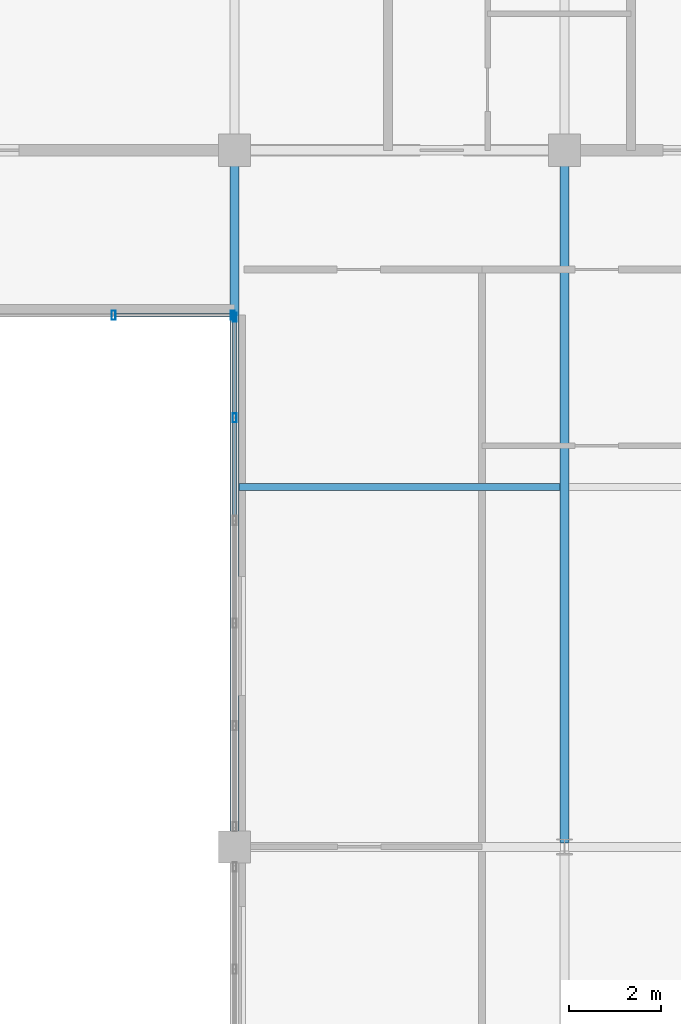
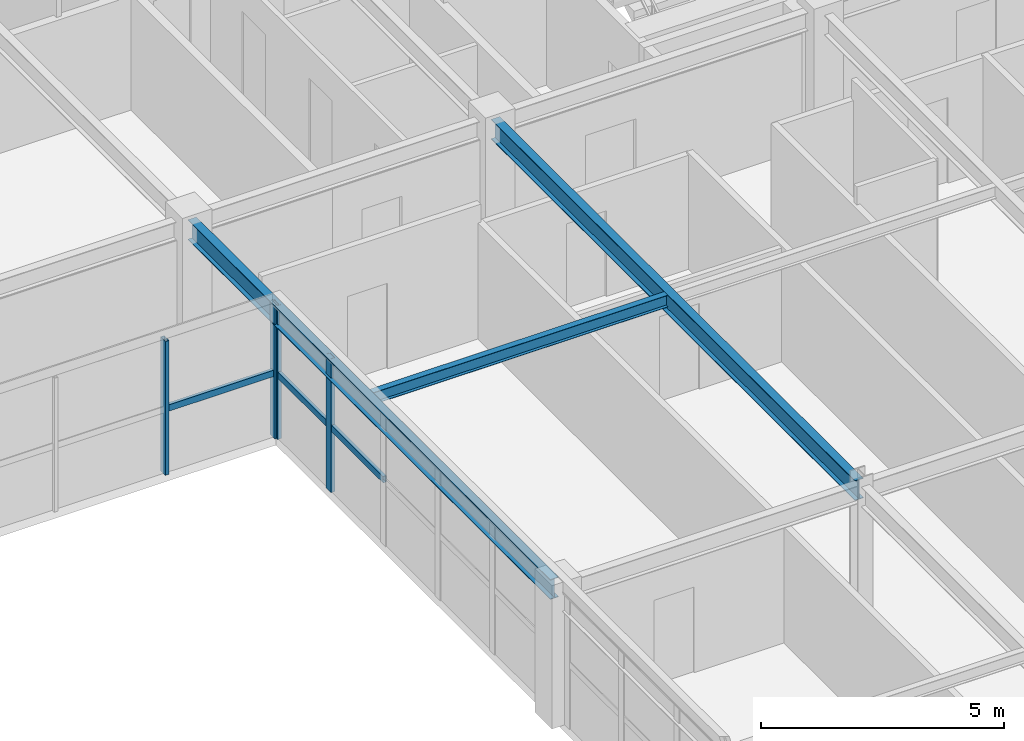
# One storey, part 15 of 35: 7 members, 3 beams, 2 elements without a shape of their own.
"""IFC4 building model written with IfcOpenShell, lengths in metres."""

from ifc_helpers import new_model, si_unit, direction, frame, origin, origin_2d, place, context, subcontext, project, spatial, hollow_rectangle, i_section, extrude, source, transform, mapped, material, material_profile, profile_set, type_object, element, aggregate, save


model = new_model("IFC4")

# Units and contexts
model_context = context("Model", 3, precision=1e-05, world=origin(), true_north=direction((0.0, 1.0)))
body_context = subcontext(model_context, "Body", "Model", "MODEL_VIEW")
ifc_project = project(units=[si_unit("LENGTHUNIT", "METRE"), si_unit("AREAUNIT", "SQUARE_METRE"), si_unit("VOLUMEUNIT", "CUBIC_METRE"), si_unit("PLANEANGLEUNIT", "RADIAN"), si_unit("MASSUNIT", "GRAM", prefix="KILO")], contexts=[model_context])

# Site, building, storey
site_placement = place(None, origin())
site = spatial("IfcSite", under=ifc_project, at=site_placement, CompositionType="ELEMENT")
building_placement = place(site_placement, origin())
building = spatial("IfcBuilding", under=site, at=building_placement, Name="Trelvane Seafront Commons", CompositionType="ELEMENT")
storey_placement = place(building_placement, frame((0.0, 0.0, 194.10009765625)))
storey = spatial("IfcBuildingStorey", under=building, at=storey_placement, Name="L50", CompositionType="ELEMENT", Elevation=194.10009765625)

# Beams
ifc_material_1 = material(Name="Steel SM355 (S355)", Category="steel")
ifc_material_profile_1 = material_profile(ifc_material_1, i_section(OverallWidth=0.199951171875, OverallDepth=0.5, WebThickness=0.010009765625, FlangeThickness=0.01611328125, at=origin_2d()), Name="H-500x200x10x16")
ifc_profile_set_1 = profile_set([ifc_material_profile_1], Name="Steel SM355 (S355)")
beam_type_1 = type_object("IfcBeamType", Name="STR-BM-H500", PredefinedType="BEAM", material=ifc_profile_set_1)
shared_shape_1 = source(origin(), body_context, "Body", "SweptSolid", [
    extrude(i_section(OverallWidth=0.199951171875, OverallDepth=0.5, WebThickness=0.010009765625, FlangeThickness=0.01611328125, at=origin_2d()), origin(), (0.0, 0.0, 1.0), 14.89990234375),
])
beam_1_placement = place(storey_placement, frame((43.800048828125, 18.35009765625, 3.10986328125), z_axis=(0.0, 1.0, 0.0), x_axis=(-1.0, 0.0, 0.0)))
element("IfcBeam", 1, at=beam_1_placement, inside=storey, type_object=beam_type_1, Name="L50 Primary Girder G-42", PredefinedType="BEAM", context=body_context, shape_type="MappedRepresentation", body=[
    mapped(shared_shape_1, transform((0.0, 0.0, 0.0), x_axis=(1.0, 0.0, 0.0), y_axis=(0.0, 1.0, 0.0), z_axis=(0.0, 0.0, 1.0), scale=1.0)),
])
shared_shape_2 = source(origin(), body_context, "Body", "SweptSolid", [
    extrude(i_section(OverallWidth=0.199951171875, OverallDepth=0.5, WebThickness=0.010009765625, FlangeThickness=0.01611328125, at=origin_2d()), origin(), (0.0, 0.0, 1.0), 14.96240234375),
])
beam_2_placement = place(storey_placement, frame((51.0, 18.28759765625, 3.10986328125), z_axis=(0.0, 1.0, 0.0), x_axis=(-1.0, 0.0, 0.0)))
element("IfcBeam", 2, at=beam_2_placement, inside=storey, type_object=beam_type_1, Name="L50 Primary Girder G-45", PredefinedType="BEAM", context=body_context, shape_type="MappedRepresentation", body=[
    mapped(shared_shape_2, transform((0.0, 0.0, 0.0), x_axis=(1.0, 0.0, 0.0), y_axis=(0.0, 1.0, 0.0), z_axis=(0.0, 0.0, 1.0), scale=1.0)),
])
ifc_material_profile_2 = material_profile(ifc_material_1, i_section(OverallWidth=0.14990234375, OverallDepth=0.300048828125, WebThickness=0.006591796875, FlangeThickness=0.009033203125, at=origin_2d()), Name="H-300x150x6.5x9")
ifc_profile_set_2 = profile_set([ifc_material_profile_2], Name="Steel SM355 (S355)")
beam_type_2 = type_object("IfcBeamType", Name="STR-JST-H300", PredefinedType="JOIST", material=ifc_profile_set_2)
shared_shape_3 = source(origin(), body_context, "Body", "SweptSolid", [
    extrude(i_section(OverallWidth=0.14990234375, OverallDepth=0.300048828125, WebThickness=0.006591796875, FlangeThickness=0.009033203125, at=origin_2d()), origin(), (0.0, 0.0, 1.0), 7.0),
])
beam_3_placement = place(storey_placement, frame((43.89990234375, 26.050048828125, 3.2099609375), z_axis=(1.0, 0.0, 0.0), x_axis=(0.0, 1.0, 0.0)))
element("IfcBeam", 3, at=beam_3_placement, inside=storey, type_object=beam_type_2, Name="L50 Secondary Floor Joist B-64", PredefinedType="JOIST", context=body_context, shape_type="MappedRepresentation", body=[
    mapped(shared_shape_3, transform((0.0, 0.0, 0.0), x_axis=(1.0, 0.0, 0.0), y_axis=(0.0, 1.0, 0.0), z_axis=(0.0, 0.0, 1.0), scale=1.0)),
])

# Curtain wall, members
ifc_material_2 = material(Name="Anodised pale-silver aluminium", Category="aluminium")
curtain_wall_type = type_object("IfcCurtainWallType", Name="ARCH-CW3-PORTAL", PredefinedType="NOTDEFINED", material=ifc_material_2)
curtain_wall_1_placement = place(storey_placement, origin())
curtain_wall_1 = element("IfcCurtainWall", 4, at=curtain_wall_1_placement, inside=storey, type_object=curtain_wall_type, Name="CW-L50-VP-0081", PredefinedType="NOTDEFINED")
ifc_material_profile_3 = material_profile(ifc_material_2, hollow_rectangle(XDim=0.090087890625, YDim=0.199951171875, WallThickness=0.0048828125, at=origin_2d()), Name="MULL-90x200x5")
ifc_profile_set_3 = profile_set([ifc_material_profile_3], Name="Anodised pale-silver aluminium")
member_type_1 = type_object("IfcMemberType", Name="ARCH-CW-MULL-200", PredefinedType="MULLION", material=ifc_profile_set_3)
shared_shape_4 = source(origin(), body_context, "Body", "SweptSolid", [
    extrude(hollow_rectangle(XDim=0.090087890625, YDim=0.199951171875, WallThickness=0.0048828125, at=origin_2d()), origin(), (0.0, 0.0, 1.0), 3.35986328125),
])
member_1_placement = place(storey_placement, frame((41.159912109375, 29.800048828125, 0.0), z_axis=(0.0, 0.0, 1.0), x_axis=(1.0, 0.0, 0.0)))
member_1 = element("IfcMember", 5, at=member_1_placement, type_object=member_type_1, Name="CW-L50-VP-0081-M04", PredefinedType="MULLION", context=body_context, shape_type="MappedRepresentation", body=[
    mapped(shared_shape_4, transform((0.0, 0.0, 0.0), x_axis=(1.0, 0.0, 0.0), y_axis=(0.0, 1.0, 0.0), z_axis=(0.0, 0.0, 1.0), scale=1.0)),
])
member_2_placement = place(storey_placement, frame((43.760009765625, 29.800048828125, 0.0), z_axis=(0.0, 0.0, 1.0), x_axis=(1.0, 0.0, 0.0)))
member_2 = element("IfcMember", 6, at=member_2_placement, type_object=member_type_1, Name="CW-L50-VP-0081-M05", PredefinedType="MULLION", context=body_context, shape_type="MappedRepresentation", body=[
    mapped(shared_shape_4, transform((0.0, 0.0, 0.0), x_axis=(1.0, 0.0, 0.0), y_axis=(0.0, 1.0, 0.0), z_axis=(0.0, 0.0, 1.0), scale=1.0)),
])

curtain_wall_2_placement = place(storey_placement, origin())
curtain_wall_2 = element("IfcCurtainWall", 7, at=curtain_wall_2_placement, inside=storey, type_object=curtain_wall_type, Name="CW-L50-VP-0082", PredefinedType="NOTDEFINED")
member_3_placement = place(storey_placement, frame((43.800048828125, 29.760009765625, 0.0), z_axis=(0.0, 0.0, 1.0), x_axis=(1.0, 0.0, 0.0)))
member_3 = element("IfcMember", 8, at=member_3_placement, type_object=member_type_1, Name="CW-L50-VP-0082-M00", PredefinedType="MULLION", context=body_context, shape_type="MappedRepresentation", body=[
    mapped(shared_shape_4, transform((0.0, 0.0, 0.0), x_axis=(1.0, 0.0, 0.0), y_axis=(0.0, 1.0, 0.0), z_axis=(0.0, 0.0, 1.0), scale=1.0)),
])
member_4_placement = place(storey_placement, frame((43.800048828125, 27.56005859375, 0.0), z_axis=(0.0, 0.0, 1.0), x_axis=(1.0, 0.0, 0.0)))
member_4 = element("IfcMember", 9, at=member_4_placement, type_object=member_type_1, Name="CW-L50-VP-0082-M01", PredefinedType="MULLION", context=body_context, shape_type="MappedRepresentation", body=[
    mapped(shared_shape_4, transform((0.0, 0.0, 0.0), x_axis=(1.0, 0.0, 0.0), y_axis=(0.0, 1.0, 0.0), z_axis=(0.0, 0.0, 1.0), scale=1.0)),
])
ifc_material_profile_4 = material_profile(ifc_material_2, hollow_rectangle(XDim=0.080078125, YDim=0.159912109375, WallThickness=0.00439453125, at=origin_2d()), Name="TRAN-80x160x4.5")
ifc_profile_set_4 = profile_set([ifc_material_profile_4], Name="Anodised pale-silver aluminium")
member_type_2 = type_object("IfcMemberType", Name="ARCH-CW-TRAN-160", PredefinedType="USERDEFINED", material=ifc_profile_set_4)
shared_shape_5 = source(origin(), body_context, "Body", "SweptSolid", [
    extrude(hollow_rectangle(XDim=0.080078125, YDim=0.159912109375, WallThickness=0.00439453125, at=origin_2d()), origin(), (0.0, 0.0, 1.0), 2.216064453125),
])
member_5_placement = place(storey_placement, frame((43.800048828125, 29.7880859375, 1.61279296875), z_axis=(0.0, -1.0, 0.0), x_axis=(1.0, 0.0, 0.0)))
member_5 = element("IfcMember", 10, at=member_5_placement, type_object=member_type_2, Name="CW-L50-VP-0082-T00", ObjectType="TRANSOM", PredefinedType="USERDEFINED", context=body_context, shape_type="MappedRepresentation", body=[
    mapped(shared_shape_5, transform((0.0, 0.0, 0.0), x_axis=(1.0, 0.0, 0.0), y_axis=(0.0, 1.0, 0.0), z_axis=(0.0, 0.0, 1.0), scale=1.0)),
])
member_6_placement = place(storey_placement, frame((43.800048828125, 27.548095703125, 1.61279296875), z_axis=(0.0, -1.0, 0.0), x_axis=(1.0, 0.0, 0.0)))
member_6 = element("IfcMember", 11, at=member_6_placement, type_object=member_type_2, Name="CW-L50-VP-0082-T01", ObjectType="TRANSOM", PredefinedType="USERDEFINED", context=body_context, shape_type="MappedRepresentation", body=[
    mapped(shared_shape_5, transform((0.0, 0.0, 0.0), x_axis=(1.0, 0.0, 0.0), y_axis=(0.0, 1.0, 0.0), z_axis=(0.0, 0.0, 1.0), scale=1.0)),
])
aggregate(curtain_wall_2, [member_3, member_4, member_5, member_6])

# Member
shared_shape_6 = source(origin(), body_context, "Body", "SweptSolid", [
    extrude(hollow_rectangle(XDim=0.080078125, YDim=0.159912109375, WallThickness=0.00439453125, at=origin_2d()), origin(), (0.0, 0.0, 1.0), 2.615966796875),
])
member_7_placement = place(storey_placement, frame((41.172119140625, 29.800048828125, 1.61279296875), z_axis=(1.0, 0.0, 0.0), x_axis=(0.0, 1.0, 0.0)))
member_7 = element("IfcMember", 12, at=member_7_placement, type_object=member_type_2, Name="CW-L50-VP-0081-T04", ObjectType="TRANSOM", PredefinedType="USERDEFINED", context=body_context, shape_type="MappedRepresentation", body=[
    mapped(shared_shape_6, transform((0.0, 0.0, 0.0), x_axis=(1.0, 0.0, 0.0), y_axis=(0.0, 1.0, 0.0), z_axis=(0.0, 0.0, 1.0), scale=1.0)),
])

aggregate(curtain_wall_1, [member_1, member_2, member_7])

save(model, "model.ifc")
